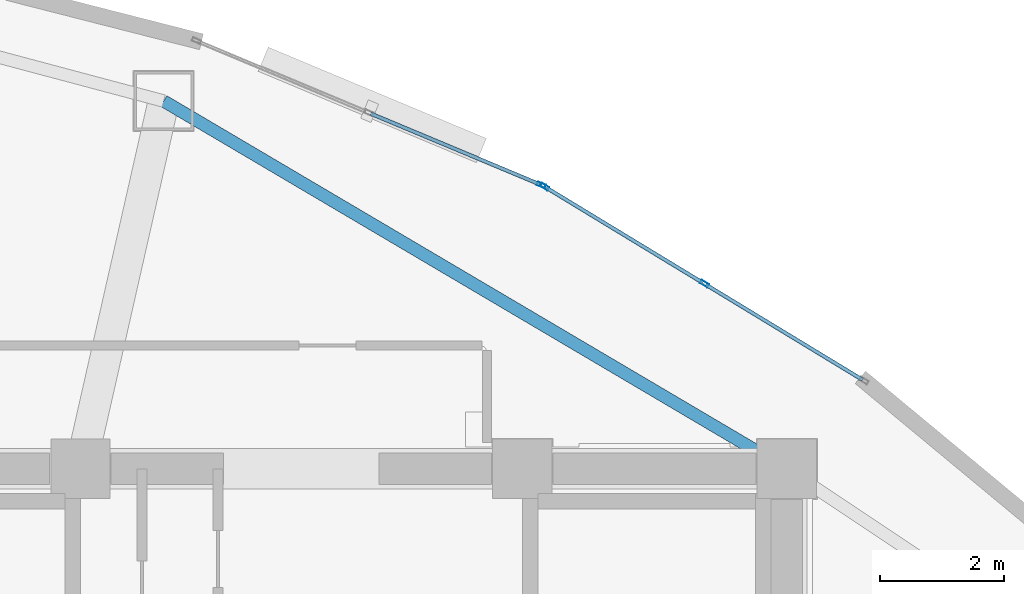
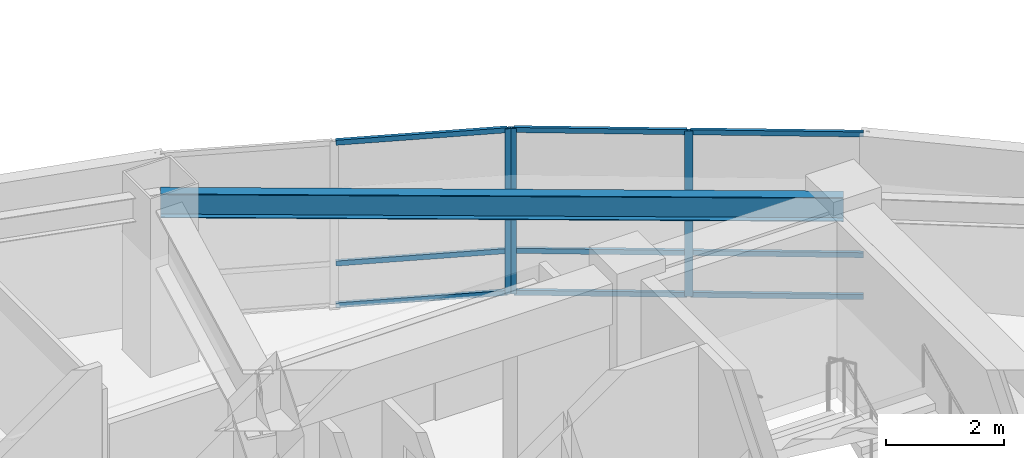
# One storey, part 10 of 15: 12 members, 1 beam, 2 elements without a shape of their own.
"""IFC4 building model written with IfcOpenShell, lengths in metres."""

import ifcopenshell
import ifcopenshell.guid

model = None  # the IFC model being written
_history = None  # IfcOwnerHistory: only IFC2X3 demands one
_inside = {}  # id of a spatial element -> (the spatial element, [elements in it])
_under = {}  # id of a project, library or spatial element -> (it, [spatial elements below it])
_declared = {}  # id of a project -> (the project, [libraries it declares])
_typed = {}  # id of a type object -> (the type object, [elements of that type])
_made_of = {}  # id of a material, layer set ... -> (it, [elements and type objects made of it])


def new_model(schema):
    """Start an empty IFC model of exactly this schema.

    Asked for "IFC4X3", IfcOpenShell would pick the latest addendum, in which some entities
    have other attributes; the version numbers below select the first issue.
    IFC2X3 requires an IfcOwnerHistory on every rooted entity: one is made here for all.
    """
    global model, _history
    if schema == "IFC4X3":
        model = ifcopenshell.file(schema_version=(4, 3, 0, 0))
    else:
        model = ifcopenshell.file(schema=schema)
    _inside.clear()
    _under.clear()
    _declared.clear()
    _typed.clear()
    _made_of.clear()
    _history = None
    if model.schema == "IFC2X3":
        org = make("IfcOrganization", Name="unknown")
        user = make(
            "IfcPersonAndOrganization",
            ThePerson=make("IfcPerson", FamilyName="unknown"),
            TheOrganization=org,
        )
        app = make(
            "IfcApplication",
            ApplicationDeveloper=org,
            Version="unknown",
            ApplicationFullName="unknown",
            ApplicationIdentifier="unknown",
        )
        _history = make(
            "IfcOwnerHistory",
            OwningUser=user,
            OwningApplication=app,
            ChangeAction="ADDED",
            CreationDate=0,
        )
    return model


def make(cls, **values):
    """One entity of the class cls with the attributes given. An attribute that is None is left unset."""
    return model.create_entity(
        cls, **{name: value for name, value in values.items() if value is not None}
    )


def rooted(cls, **values):
    """An entity with a GlobalId (a new one), such as an element, a storey or a relation."""
    return make(cls, GlobalId=ifcopenshell.guid.new(), OwnerHistory=_history, **values)


def si_unit(unit_type, name, prefix=None):
    """IfcSIUnit, for example si_unit("LENGTHUNIT", "METRE", prefix="MILLI")."""
    return make("IfcSIUnit", UnitType=unit_type, Prefix=prefix, Name=name)


def assignment(units):
    """IfcUnitAssignment: the units of a project."""
    return None if units is None else make("IfcUnitAssignment", Units=units)


def point(xyz):
    """IfcCartesianPoint."""
    return None if xyz is None else make("IfcCartesianPoint", Coordinates=xyz)


def direction(xyz):
    """IfcDirection."""
    return None if xyz is None else make("IfcDirection", DirectionRatios=xyz)


def frame(location, z_axis=None, x_axis=None):
    """IfcAxis2Placement3D, a coordinate frame: its origin and axes. An axis left out is left unset."""
    return make(
        "IfcAxis2Placement3D",
        Location=point(location),
        Axis=direction(z_axis),
        RefDirection=direction(x_axis),
    )


def frame_2d(location, x_axis=None):
    """IfcAxis2Placement2D, a coordinate frame in the plane: its origin and x axis."""
    return make(
        "IfcAxis2Placement2D", Location=point(location), RefDirection=direction(x_axis)
    )


def origin():
    """The frame at (0, 0, 0) with its axes left unset."""
    return frame((0.0, 0.0, 0.0))


def origin_2d():
    """The frame at (0, 0) in the plane with its x axis left unset."""
    return frame_2d((0.0, 0.0))


def place(relative_to, where):
    """IfcLocalPlacement: puts the frame where relative to a parent placement (None: the world)."""
    return make(
        "IfcLocalPlacement", PlacementRelTo=relative_to, RelativePlacement=where
    )


def context(
    kind, dimensions, precision=None, world=None, true_north=None, identifier=None
):
    """IfcGeometricRepresentationContext, for example the 3D "Model" context."""
    return make(
        "IfcGeometricRepresentationContext",
        ContextIdentifier=identifier,
        ContextType=kind,
        CoordinateSpaceDimension=dimensions,
        Precision=precision,
        WorldCoordinateSystem=world,
        TrueNorth=true_north,
    )


def subcontext(parent, identifier, kind, view, scale=None):
    """IfcGeometricRepresentationSubContext, for example "Body" below "Model"."""
    return make(
        "IfcGeometricRepresentationSubContext",
        ContextIdentifier=identifier,
        ContextType=kind,
        ParentContext=parent,
        TargetScale=scale,
        TargetView=view,
    )


def project(units=None, contexts=None):
    """IfcProject with its units and contexts."""
    return rooted(
        "IfcProject",
        Name="project",
        RepresentationContexts=contexts,
        UnitsInContext=assignment(units),
    )


def spatial(cls, under=None, at=None, **own):
    """A site, building, storey or space (cls), placed at a placement, below another one or the project."""
    s = rooted(cls, ObjectPlacement=at, **own)
    if under is not None:
        _under.setdefault(under.id(), (under, []))[1].append(s)
    return s


def profile(cls, at=None, kind="AREA", **sizes):
    """A parametric profile (cls). Its sizes go by their IFC names, for example OverallWidth=200.0."""
    return make(cls, ProfileType=kind, Position=at, **sizes)


def hollow_rectangle(**sizes):
    """IfcRectangleHollowProfileDef."""
    return profile("IfcRectangleHollowProfileDef", **sizes)


def i_section(**sizes):
    """IfcIShapeProfileDef."""
    return profile("IfcIShapeProfileDef", **sizes)


def extrude(swept, where, along, depth):
    """IfcExtrudedAreaSolid: the profile swept, set in the frame where, extruded along a direction by depth."""
    return make(
        "IfcExtrudedAreaSolid",
        SweptArea=swept,
        Position=where,
        ExtrudedDirection=direction(along),
        Depth=depth,
    )


def shape(context_of_items, identifier, shape_type, items):
    """IfcShapeRepresentation: the items that make up one representation, for example the "Body"."""
    return make(
        "IfcShapeRepresentation",
        ContextOfItems=context_of_items,
        RepresentationIdentifier=identifier,
        RepresentationType=shape_type,
        Items=items,
    )


def material(Name=None, Category=None):
    """IfcMaterial."""
    return make("IfcMaterial", Name=Name, Category=Category)


def layer(
    of_material, thickness, ventilated=None, Name=None, Category=None, Priority=None
):
    """IfcMaterialLayer: one layer of a wall or slab, of a material (None: an air gap)."""
    return make(
        "IfcMaterialLayer",
        Material=of_material,
        LayerThickness=thickness,
        IsVentilated=ventilated,
        Name=Name,
        Category=Category,
        Priority=Priority,
    )


def layer_set(layers, Name=None):
    """IfcMaterialLayerSet."""
    return make("IfcMaterialLayerSet", MaterialLayers=layers, LayerSetName=Name)


def material_profile(
    of_material, cross_section, Name=None, Category=None, Priority=None
):
    """IfcMaterialProfile: a cross section and its material."""
    return make(
        "IfcMaterialProfile",
        Name=Name,
        Material=of_material,
        Profile=cross_section,
        Priority=Priority,
        Category=Category,
    )


def profile_set(profiles, Name=None, composite=None):
    """IfcMaterialProfileSet."""
    return make(
        "IfcMaterialProfileSet",
        Name=Name,
        MaterialProfiles=profiles,
        CompositeProfile=composite,
    )


def made_of(thing, what):
    """Note that an element or type object is made of a material, layer set ...; save() writes the relation."""
    if what is not None:
        _made_of.setdefault(what.id(), (what, []))[1].append(thing)
    return thing


def type_object(cls, material=None, **own):
    """A type object (cls), such as IfcWallType, which elements share."""
    return made_of(rooted(cls, **own), material)


def element(
    cls,
    number,
    at=None,
    inside=None,
    cuts=None,
    type_object=None,
    material=None,
    context=None,
    identifier="Body",
    shape_type=None,
    held_by="IfcProductDefinitionShape",
    body=None,
    shapes=None,
    **own,
):
    """One element of the class cls, such as IfcWall. Its Tag is "e" and its number.

    at: its placement. inside: the storey or other place that contains it. cuts: it is an
    opening in that element (IfcRelVoidsElement). A single representation is given by context,
    identifier, shape_type and body (its items); several are given by shapes. held_by: the class
    of the entity that holds the representations. save() writes the other relations.
    """
    e = rooted(cls, Tag="e%d" % number, ObjectPlacement=at, **own)
    if body is not None:
        shapes = [shape(context, identifier, shape_type, body)]
    if shapes is not None:
        e.Representation = make(held_by, Representations=shapes)
    if inside is not None:
        _inside.setdefault(inside.id(), (inside, []))[1].append(e)
    if cuts is not None:
        rooted(
            "IfcRelVoidsElement", RelatingBuildingElement=cuts, RelatedOpeningElement=e
        )
    if type_object is not None:
        _typed.setdefault(type_object.id(), (type_object, []))[1].append(e)
    return made_of(e, material)


def aggregate(whole, parts):
    """IfcRelAggregates: a whole, such as a stair, and the parts it consists of."""
    return rooted("IfcRelAggregates", RelatingObject=whole, RelatedObjects=parts)


def save(model, path):
    """Write the relations noted so far, then the file.

    IfcRelAggregates (storeys below a building ...), IfcRelContainedInSpatialStructure (elements
    in a storey), IfcRelDefinesByType, IfcRelAssociatesMaterial and IfcRelDeclares: one each for
    every whole, place, type object, material and project.
    """
    for whole, parts in _under.values():
        aggregate(whole, parts)
    for where, things in _inside.values():
        rooted(
            "IfcRelContainedInSpatialStructure",
            RelatedElements=things,
            RelatingStructure=where,
        )
    for kind, things in _typed.values():
        rooted("IfcRelDefinesByType", RelatedObjects=things, RelatingType=kind)
    for what, things in _made_of.values():
        rooted("IfcRelAssociatesMaterial", RelatedObjects=things, RelatingMaterial=what)
    for by, libraries in _declared.values():
        rooted("IfcRelDeclares", RelatingContext=by, RelatedDefinitions=libraries)
    model.write(path)


model = new_model("IFC4")

# Units and contexts
model_context = context("Model", 3, precision=1e-05, world=origin(), true_north=direction((0.0, 1.0)))
body_context = subcontext(model_context, "Body", "Model", "MODEL_VIEW")
ifc_project = project(units=[si_unit("LENGTHUNIT", "METRE"), si_unit("AREAUNIT", "SQUARE_METRE"), si_unit("VOLUMEUNIT", "CUBIC_METRE"), si_unit("PLANEANGLEUNIT", "RADIAN"), si_unit("MASSUNIT", "GRAM", prefix="KILO")], contexts=[model_context])

# Site, building, storey
site_placement = place(None, origin())
site = spatial("IfcSite", under=ifc_project, at=site_placement, CompositionType="ELEMENT")
building_placement = place(site_placement, origin())
building = spatial("IfcBuilding", under=site, at=building_placement, Name="Menara Vayukalpa", CompositionType="ELEMENT")
storey_placement = place(building_placement, frame((0.0, 0.0, 230.699951171875)))
storey = spatial("IfcBuildingStorey", under=building, at=storey_placement, Name="L58", CompositionType="ELEMENT", Elevation=230.699951171875)

# Beam
ifc_material_1 = material(Name="Steel S355", Category="steel")
ifc_material_profile_1 = material_profile(ifc_material_1, i_section(OverallWidth=0.199951171875, OverallDepth=0.5, WebThickness=0.010009765625, FlangeThickness=0.01611328125, at=origin_2d()), Name="WF 500x200x10x16")
ifc_profile_set_1 = profile_set([ifc_material_profile_1], Name="Steel S355")
beam_type = type_object("IfcBeamType", Name="BM-SP3", PredefinedType="SPANDREL", material=ifc_profile_set_1)
beam_placement = place(storey_placement, frame((33.39990234375, 26.800048828125, 3.18994140625), z_axis=(-0.861184403346, 0.508292655302, 0.0), x_axis=(-0.508292655302, -0.861184403346, 0.0)))
element("IfcBeam", 1, at=beam_placement, inside=storey, type_object=beam_type, Name="L58 Perimeter Spandrel Beam SP02", PredefinedType="SPANDREL", context=body_context, shape_type="SweptSolid", body=[
    extrude(i_section(OverallWidth=0.199951171875, OverallDepth=0.5, WebThickness=0.010009765625, FlangeThickness=0.01611328125, at=origin_2d()), origin(), (0.0, 0.0, 1.0), 11.6240234375),
])

# Curtain wall, members
ifc_material_2 = material(Name="Anodised Terracotta Aluminium Alloy 6063-T6", Category="masonry")
ifc_layer = layer(ifc_material_2, 0.139892578125)
ifc_layer_set = layer_set([ifc_layer], Name="Anodised Terracotta Aluminium Alloy 6063-T6")
curtain_wall_type = type_object("IfcCurtainWallType", Name="CW-CW5", PredefinedType="USERDEFINED", material=ifc_layer_set)
curtain_wall_1_placement = place(storey_placement, origin())
curtain_wall_1 = element("IfcCurtainWall", 2, at=curtain_wall_1_placement, inside=storey, type_object=curtain_wall_type, Name="L58 High Rise Tapered Curtain Wall CW5 04", ObjectType="UNITISED", PredefinedType="USERDEFINED")
ifc_material_3 = material(Name="Anodised Terracotta Aluminium Alloy 6063-T6", Category="masonry")
ifc_material_profile_2 = material_profile(ifc_material_3, hollow_rectangle(XDim=0.06005859375, YDim=0.139892578125, WallThickness=0.00341796875, at=origin_2d()), Name="ALU 60x140x3.5")
ifc_profile_set_2 = profile_set([ifc_material_profile_2], Name="Anodised Terracotta Aluminium Alloy 6063-T6")
member_type_1 = type_object("IfcMemberType", Name="CWM-CW5", PredefinedType="MULLION", material=ifc_profile_set_2)
member_1_placement = place(storey_placement, frame((32.075439453125, 29.773681640625, 0.0), z_axis=(0.0, 0.0, 1.0), x_axis=(-0.519179911779, -0.854664974832, 0.0)))
member_1 = element("IfcMember", 3, at=member_1_placement, type_object=member_type_1, Name="CW5 mullion 2", PredefinedType="MULLION", context=body_context, shape_type="SweptSolid", body=[
    extrude(hollow_rectangle(XDim=0.06005859375, YDim=0.139892578125, WallThickness=0.00341796875, at=origin_2d()), origin(), (0.0, 0.0, 1.0), 3.43994140625),
])
member_2_placement = place(storey_placement, frame((29.509521484375, 31.33251953125, 0.0), z_axis=(0.0, 0.0, 1.0), x_axis=(-0.519179911779, -0.854664974832, 0.0)))
member_2 = element("IfcMember", 4, at=member_2_placement, type_object=member_type_1, Name="CW5 mullion 3", PredefinedType="MULLION", context=body_context, shape_type="SweptSolid", body=[
    extrude(hollow_rectangle(XDim=0.06005859375, YDim=0.139892578125, WallThickness=0.00341796875, at=origin_2d()), origin(), (0.0, 0.0, 1.0), 3.43994140625),
])

# Curtain wall, member
curtain_wall_2_placement = place(storey_placement, origin())
curtain_wall_2 = element("IfcCurtainWall", 5, at=curtain_wall_2_placement, inside=storey, type_object=curtain_wall_type, Name="L58 High Rise Tapered Curtain Wall CW5 05", ObjectType="UNITISED", PredefinedType="USERDEFINED")
member_3_placement = place(storey_placement, frame((29.4560546875, 31.359619140625, 0.0), z_axis=(0.0, 0.0, 1.0), x_axis=(-0.385902834406, -0.922539431351, 0.0)))
member_3 = element("IfcMember", 6, at=member_3_placement, type_object=member_type_1, Name="CW5 mullion 1", PredefinedType="MULLION", context=body_context, shape_type="SweptSolid", body=[
    extrude(hollow_rectangle(XDim=0.06005859375, YDim=0.139892578125, WallThickness=0.00341796875, at=origin_2d()), origin(), (0.0, 0.0, 1.0), 3.43994140625),
])

# Member
ifc_material_4 = material(Name="Anodised Terracotta Aluminium Alloy 6063-T6", Category="masonry")
ifc_material_profile_3 = material_profile(ifc_material_4, hollow_rectangle(XDim=0.06005859375, YDim=0.10498046875, WallThickness=0.0029296875, at=origin_2d()), Name="ALU 60x105x3")
ifc_profile_set_3 = profile_set([ifc_material_profile_3], Name="Anodised Terracotta Aluminium Alloy 6063-T6")
member_type_2 = type_object("IfcMemberType", Name="CWT-CW5", PredefinedType="USERDEFINED", material=ifc_profile_set_3)
member_4_placement = place(storey_placement, frame((34.615966796875, 28.23046875, 0.030029296875), z_axis=(-0.854683649113, 0.519149169255, 0.0), x_axis=(-0.519149169255, -0.854683649113, 0.0)))
member_4 = element("IfcMember", 7, at=member_4_placement, type_object=member_type_2, Name="CW5 transom 1.1", ObjectType="TRANSOM", PredefinedType="USERDEFINED", context=body_context, shape_type="SweptSolid", body=[
    extrude(hollow_rectangle(XDim=0.06005859375, YDim=0.10498046875, WallThickness=0.0029296875, at=origin_2d()), origin(), (0.0, 0.0, 1.0), 2.9423828125),
])

member_5_placement = place(storey_placement, frame((34.615966796875, 28.23046875, 0.900146484375), z_axis=(-0.854683649113, 0.519149169255, 0.0), x_axis=(-0.519149169255, -0.854683649113, 0.0)))
member_5 = element("IfcMember", 8, at=member_5_placement, type_object=member_type_2, Name="CW5 transom 1.2", ObjectType="TRANSOM", PredefinedType="USERDEFINED", context=body_context, shape_type="SweptSolid", body=[
    extrude(hollow_rectangle(XDim=0.06005859375, YDim=0.10498046875, WallThickness=0.0029296875, at=origin_2d()), origin(), (0.0, 0.0, 1.0), 2.9423828125),
])

member_6_placement = place(storey_placement, frame((34.615966796875, 28.23046875, 3.41015625), z_axis=(-0.854683649113, 0.519149169255, 0.0), x_axis=(-0.519149169255, -0.854683649113, 0.0)))
member_6 = element("IfcMember", 9, at=member_6_placement, type_object=member_type_2, Name="CW5 transom 1.3", ObjectType="TRANSOM", PredefinedType="USERDEFINED", context=body_context, shape_type="SweptSolid", body=[
    extrude(hollow_rectangle(XDim=0.06005859375, YDim=0.10498046875, WallThickness=0.0029296875, at=origin_2d()), origin(), (0.0, 0.0, 1.0), 2.9423828125),
])

member_7_placement = place(storey_placement, frame((32.0498046875, 29.789306640625, 0.030029296875), z_axis=(-0.85466128475, 0.51918598628, 0.0), x_axis=(-0.51918598628, -0.85466128475, 0.0)))
member_7 = element("IfcMember", 10, at=member_7_placement, type_object=member_type_2, Name="CW5 transom 2.1", ObjectType="TRANSOM", PredefinedType="USERDEFINED", context=body_context, shape_type="SweptSolid", body=[
    extrude(hollow_rectangle(XDim=0.06005859375, YDim=0.10498046875, WallThickness=0.0029296875, at=origin_2d()), origin(), (0.0, 0.0, 1.0), 2.9423828125),
])

member_8_placement = place(storey_placement, frame((32.0498046875, 29.789306640625, 0.900146484375), z_axis=(-0.85466128475, 0.51918598628, 0.0), x_axis=(-0.51918598628, -0.85466128475, 0.0)))
member_8 = element("IfcMember", 11, at=member_8_placement, type_object=member_type_2, Name="CW5 transom 2.2", ObjectType="TRANSOM", PredefinedType="USERDEFINED", context=body_context, shape_type="SweptSolid", body=[
    extrude(hollow_rectangle(XDim=0.06005859375, YDim=0.10498046875, WallThickness=0.0029296875, at=origin_2d()), origin(), (0.0, 0.0, 1.0), 2.9423828125),
])

member_9_placement = place(storey_placement, frame((32.0498046875, 29.789306640625, 3.41015625), z_axis=(-0.85466128475, 0.51918598628, 0.0), x_axis=(-0.51918598628, -0.85466128475, 0.0)))
member_9 = element("IfcMember", 12, at=member_9_placement, type_object=member_type_2, Name="CW5 transom 2.3", ObjectType="TRANSOM", PredefinedType="USERDEFINED", context=body_context, shape_type="SweptSolid", body=[
    extrude(hollow_rectangle(XDim=0.06005859375, YDim=0.10498046875, WallThickness=0.0029296875, at=origin_2d()), origin(), (0.0, 0.0, 1.0), 2.9423828125),
])

aggregate(curtain_wall_1, [member_1, member_2, member_4, member_5, member_6, member_7, member_8, member_9])

member_10_placement = place(storey_placement, frame((29.428466796875, 31.371337890625, 0.030029296875), z_axis=(-0.922543360613, 0.385893440976, 0.0), x_axis=(-0.385893440976, -0.922543360613, 0.0)))
member_10 = element("IfcMember", 13, at=member_10_placement, type_object=member_type_2, Name="CW5 transom 1.1", ObjectType="TRANSOM", PredefinedType="USERDEFINED", context=body_context, shape_type="SweptSolid", body=[
    extrude(hollow_rectangle(XDim=0.06005859375, YDim=0.10498046875, WallThickness=0.0029296875, at=origin_2d()), origin(), (0.0, 0.0, 1.0), 2.942626953125),
])

member_11_placement = place(storey_placement, frame((29.428466796875, 31.371337890625, 0.900146484375), z_axis=(-0.922543360613, 0.385893440976, 0.0), x_axis=(-0.385893440976, -0.922543360613, 0.0)))
member_11 = element("IfcMember", 14, at=member_11_placement, type_object=member_type_2, Name="CW5 transom 1.2", ObjectType="TRANSOM", PredefinedType="USERDEFINED", context=body_context, shape_type="SweptSolid", body=[
    extrude(hollow_rectangle(XDim=0.06005859375, YDim=0.10498046875, WallThickness=0.0029296875, at=origin_2d()), origin(), (0.0, 0.0, 1.0), 2.942626953125),
])

member_12_placement = place(storey_placement, frame((29.428466796875, 31.371337890625, 3.41015625), z_axis=(-0.922543360613, 0.385893440976, 0.0), x_axis=(-0.385893440976, -0.922543360613, 0.0)))
member_12 = element("IfcMember", 15, at=member_12_placement, type_object=member_type_2, Name="CW5 transom 1.3", ObjectType="TRANSOM", PredefinedType="USERDEFINED", context=body_context, shape_type="SweptSolid", body=[
    extrude(hollow_rectangle(XDim=0.06005859375, YDim=0.10498046875, WallThickness=0.0029296875, at=origin_2d()), origin(), (0.0, 0.0, 1.0), 2.942626953125),
])

aggregate(curtain_wall_2, [member_3, member_10, member_11, member_12])

save(model, "model.ifc")
